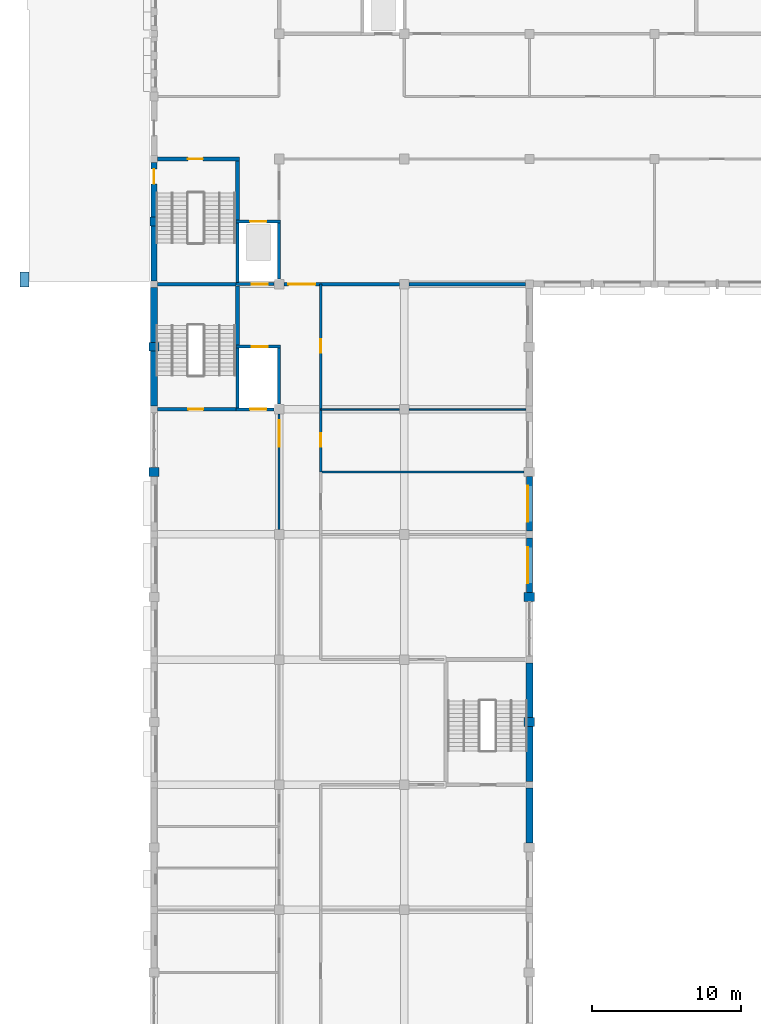
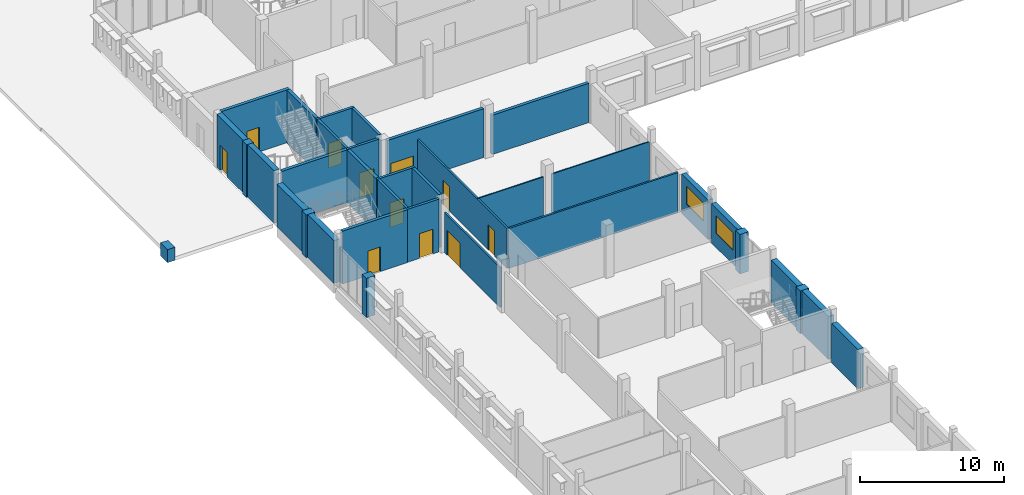
# One storey, part 78 of 101: 35 walls, 11 doors, 2 windows, 13 openings.
"""IFC4 building model written with IfcOpenShell, lengths in metres."""

from ifc_helpers import new_model, si_unit, direction, frame, frame_2d, origin, place, context, subcontext, project, spatial, rectangle, extrude, material, layer, layer_set, type_object, element, fill, save


model = new_model("IFC4")

# Units and contexts
model_context = context("Model", 3, precision=1e-05, world=origin(), true_north=direction((0.0, 1.0)))
body_context = subcontext(model_context, "Body", "Model", "MODEL_VIEW")
ifc_project = project(units=[si_unit("LENGTHUNIT", "METRE"), si_unit("AREAUNIT", "SQUARE_METRE"), si_unit("VOLUMEUNIT", "CUBIC_METRE"), si_unit("PLANEANGLEUNIT", "RADIAN"), si_unit("MASSUNIT", "GRAM", prefix="KILO")], contexts=[model_context])

# Site, building, storey
site_placement = place(None, origin())
site = spatial("IfcSite", under=ifc_project, at=site_placement, CompositionType="ELEMENT")
building_placement = place(site_placement, origin())
building = spatial("IfcBuilding", under=site, at=building_placement, Name="Fescue Hill Polytechnic", CompositionType="ELEMENT")
storey_placement = place(building_placement, frame((0.0, 0.0, 9.0)))
storey = spatial("IfcBuildingStorey", under=building, at=storey_placement, Name="L02", CompositionType="ELEMENT", Elevation=9.0)

# Wall
ifc_material_1 = material(Name="Clay brick masonry", Category="masonry")
ifc_layer_1 = layer(ifc_material_1, 0.550048828125)
ifc_layer_set_1 = layer_set([ifc_layer_1], Name="Clay brick masonry")
wall_type_1 = type_object("IfcWallType", Name="Brick pier 600x550", PredefinedType="SOLIDWALL", material=ifc_layer_set_1)
wall_1_placement = place(storey_placement, frame((0.0, 113.699951171875, 0.0), z_axis=(0.0, 0.0, 1.0), x_axis=(0.0, -1.0, 0.0)))
element("IfcWall", 1, at=wall_1_placement, inside=storey, type_object=wall_type_1, Name="PR-L02-V5-9", PredefinedType="SOLIDWALL", context=body_context, shape_type="SweptSolid", body=[
    extrude(rectangle(XDim=0.599853515625, YDim=0.550048828125, at=frame_2d((0.2998046875, 0.0))), origin(), (0.0, 0.0, 1.0), 4.5),
])

# Wall, opening, door
ifc_material_2 = material(Name="Concrete 40 MPa", Category="concrete")
ifc_layer_2 = layer(ifc_material_2, 0.25)
ifc_layer_set_2 = layer_set([ifc_layer_2], Name="Concrete 40 MPa")
wall_type_2 = type_object("IfcWallType", Name="Core wall 250", PredefinedType="SHEAR", material=ifc_layer_set_2)
wall_2_placement = place(storey_placement, frame((0.25, 100.800048828125, 0.0), z_axis=(0.0, 0.0, 1.0), x_axis=(1.0, 0.0, 0.0)))
wall_2 = element("IfcWall", 2, at=wall_2_placement, inside=storey, type_object=wall_type_2, Name="CW-L02-ST-V4-2-11", PredefinedType="SHEAR", context=body_context, shape_type="SweptSolid", body=[
    extrude(rectangle(XDim=5.25, YDim=0.25, at=frame_2d((2.625, 0.0))), origin(), (0.0, 0.0, 1.0), 4.5),
])
opening_1_placement = place(wall_2_placement, frame((2.050048828125, 0.0, 0.0)))
opening_1 = element("IfcOpeningElement", 3, at=opening_1_placement, cuts=wall_2, Name="Opening D2086", PredefinedType="OPENING", context=body_context, shape_type="SweptSolid", body=[
    extrude(rectangle(XDim=1.0, YDim=2.10009765625, at=frame_2d((0.5, 1.050048828125))), frame((0.0, 0.135009765625, 0.0), z_axis=(0.0, -1.0, 0.0), x_axis=(1.0, 0.0, 0.0)), (0.0, 0.0, 1.0), 0.27001953125),
])
ifc_material_3 = material(Name="Steel fire door", Category="steel")
door_type_1 = type_object("IfcDoorType", Name="Door single swing 1000x2100 stair fire rated", OperationType="NOTDEFINED", PredefinedType="DOOR", material=ifc_material_3)
door_1_placement = place(opening_1_placement, origin())
door_1 = element("IfcDoor", 4, at=door_1_placement, inside=storey, type_object=door_type_1, Name="L02 ST-V4-2 stair door", OperationType="SINGLE_SWING_RIGHT", OverallHeight=2.10009765625, OverallWidth=1.0, PredefinedType="DOOR", context=body_context, shape_type="SweptSolid", body=[
    extrude(rectangle(XDim=1.0, YDim=2.10009765625, at=frame_2d((0.5, 1.050048828125))), frame((0.0, 0.02490234375, 0.0), z_axis=(0.0, -1.0, 0.0), x_axis=(1.0, 0.0, 0.0)), (0.0, 0.0, 1.0), 0.050048828125),
])
fill(opening_1, door_1)

# Walls
wall_3_placement = place(storey_placement, frame((0.25, 109.199951171875, 0.0), z_axis=(0.0, 0.0, 1.0), x_axis=(1.0, 0.0, 0.0)))
element("IfcWall", 5, at=wall_3_placement, inside=storey, type_object=wall_type_2, Name="CW-L02-ST-V4-2-21", PredefinedType="SHEAR", context=body_context, shape_type="SweptSolid", body=[
    extrude(rectangle(XDim=5.25, YDim=0.25, at=frame_2d((2.625, 0.0))), origin(), (0.0, 0.0, 1.0), 4.5),
])
wall_4_placement = place(storey_placement, frame((5.60009765625, 105.010009765625, 0.0), z_axis=(0.0, 0.0, 1.0), x_axis=(0.0, 1.0, 0.0)))
element("IfcWall", 6, at=wall_4_placement, inside=storey, type_object=wall_type_2, Name="CW-L02-ST-V4-2-41", PredefinedType="SHEAR", context=body_context, shape_type="SweptSolid", body=[
    extrude(rectangle(XDim=4.06494140625, YDim=0.25, at=frame_2d((2.032470703125, 0.0))), origin(), (0.0, 0.0, 1.0), 4.5),
])

# Wall, opening, door
wall_5_placement = place(storey_placement, frame((0.22509765625, 117.60009765625, 0.0), z_axis=(0.0, 0.0, 1.0), x_axis=(1.0, 0.0, 0.0)))
wall_5 = element("IfcWall", 7, at=wall_5_placement, inside=storey, type_object=wall_type_2, Name="CW-L02-ST-V5-1-21", PredefinedType="SHEAR", context=body_context, shape_type="SweptSolid", body=[
    extrude(rectangle(XDim=5.5, YDim=0.25, at=frame_2d((2.75, 0.0))), origin(), (0.0, 0.0, 1.0), 4.5),
])
opening_2_placement = place(wall_5_placement, frame((2.050048828125, 0.0, 0.0)))
opening_2 = element("IfcOpeningElement", 8, at=opening_2_placement, cuts=wall_5, Name="Opening D2088", PredefinedType="OPENING", context=body_context, shape_type="SweptSolid", body=[
    extrude(rectangle(XDim=1.0, YDim=2.10009765625, at=frame_2d((0.5, 1.050048828125))), frame((0.0, 0.135009765625, 0.0), z_axis=(0.0, -1.0, 0.0), x_axis=(1.0, 0.0, 0.0)), (0.0, 0.0, 1.0), 0.27001953125),
])
door_2_placement = place(opening_2_placement, origin())
door_2 = element("IfcDoor", 9, at=door_2_placement, inside=storey, type_object=door_type_1, Name="L02 ST-V5-1 stair door", OperationType="SINGLE_SWING_RIGHT", OverallHeight=2.10009765625, OverallWidth=1.0, PredefinedType="DOOR", context=body_context, shape_type="SweptSolid", body=[
    extrude(rectangle(XDim=1.0, YDim=2.10009765625, at=frame_2d((0.5, 1.050048828125))), frame((0.0, 0.02490234375, 0.0), z_axis=(0.0, -1.0, 0.0), x_axis=(1.0, 0.0, 0.0)), (0.0, 0.0, 1.0), 0.050048828125),
])
fill(opening_2, door_2)

# Wall
wall_6_placement = place(storey_placement, frame((5.60009765625, 113.409912109375, 0.0), z_axis=(0.0, 0.0, 1.0), x_axis=(0.0, 1.0, 0.0)))
element("IfcWall", 10, at=wall_6_placement, inside=storey, type_object=wall_type_2, Name="CW-L02-ST-V5-1-41", PredefinedType="SHEAR", context=body_context, shape_type="SweptSolid", body=[
    extrude(rectangle(XDim=4.065185546875, YDim=0.25, at=frame_2d((2.03271484375, 0.0))), origin(), (0.0, 0.0, 1.0), 4.5),
])

# Wall, openings, doors
ifc_material_4 = material(Name="Gypsum board partition")
ifc_layer_3 = layer(ifc_material_4, 0.14990234375)
ifc_layer_set_3 = layer_set([ifc_layer_3], Name="Gypsum board partition")
wall_type_3 = type_object("IfcWallType", Name="Corridor wall 150 EI 45", PredefinedType="PARTITIONING", material=ifc_layer_set_3)
wall_7_placement = place(storey_placement, frame((11.199951171875, 96.60009765625, 0.0), z_axis=(0.0, 0.0, 1.0), x_axis=(0.0, 1.0, 0.0)))
wall_7 = element("IfcWall", 11, at=wall_7_placement, inside=storey, type_object=wall_type_3, Name="IW-L02-084", PredefinedType="PARTITIONING", context=body_context, shape_type="SweptSolid", body=[
    extrude(rectangle(XDim=12.599853515625, YDim=0.14990234375, at=frame_2d((6.2998046875, 0.0))), origin(), (0.0, 0.0, 1.0), 3.39990234375),
])
opening_3_placement = place(wall_7_placement, frame((1.699951171875, 0.0, 0.0)))
opening_3 = element("IfcOpeningElement", 12, at=opening_3_placement, cuts=wall_7, Name="Opening D2047", PredefinedType="OPENING", context=body_context, shape_type="SweptSolid", body=[
    extrude(rectangle(XDim=0.89990234375, YDim=2.10009765625, at=frame_2d((0.449951171875, 1.050048828125))), frame((0.0, 0.0849609375, 0.0), z_axis=(0.0, -1.0, 0.0), x_axis=(1.0, 0.0, 0.0)), (0.0, 0.0, 1.0), 0.169921875),
])
opening_4_placement = place(wall_7_placement, frame((8.0, 0.0, 0.0)))
opening_4 = element("IfcOpeningElement", 13, at=opening_4_placement, cuts=wall_7, Name="Opening D2048", PredefinedType="OPENING", context=body_context, shape_type="SweptSolid", body=[
    extrude(rectangle(XDim=0.89990234375, YDim=2.10009765625, at=frame_2d((0.449951171875, 1.050048828125))), frame((0.0, 0.0849609375, 0.0), z_axis=(0.0, -1.0, 0.0), x_axis=(1.0, 0.0, 0.0)), (0.0, 0.0, 1.0), 0.169921875),
])
ifc_material_5 = material(Name="Timber", Category="wood")
door_type_2 = type_object("IfcDoorType", Name="Door single swing 900x2100 FD30S", OperationType="SINGLE_SWING_LEFT", PredefinedType="DOOR", material=ifc_material_5)
door_3_placement = place(opening_3_placement, origin())
door_3 = element("IfcDoor", 14, at=door_3_placement, inside=storey, type_object=door_type_2, Name="Door D2047", OperationType="SINGLE_SWING_LEFT", OverallHeight=2.10009765625, OverallWidth=0.89990234375, PredefinedType="DOOR", context=body_context, shape_type="SweptSolid", body=[
    extrude(rectangle(XDim=0.89990234375, YDim=2.10009765625, at=frame_2d((0.449951171875, 1.050048828125))), frame((0.0, 0.02490234375, 0.0), z_axis=(0.0, -1.0, 0.0), x_axis=(1.0, 0.0, 0.0)), (0.0, 0.0, 1.0), 0.050048828125),
])
fill(opening_3, door_3)
door_4_placement = place(opening_4_placement, origin())
door_4 = element("IfcDoor", 15, at=door_4_placement, inside=storey, type_object=door_type_2, Name="Door D2048", OperationType="SINGLE_SWING_RIGHT", OverallHeight=2.10009765625, OverallWidth=0.89990234375, PredefinedType="DOOR", context=body_context, shape_type="SweptSolid", body=[
    extrude(rectangle(XDim=0.89990234375, YDim=2.10009765625, at=frame_2d((0.449951171875, 1.050048828125))), frame((0.0, 0.02490234375, 0.0), z_axis=(0.0, -1.0, 0.0), x_axis=(1.0, 0.0, 0.0)), (0.0, 0.0, 1.0), 0.050048828125),
])
fill(opening_4, door_4)

# Walls
ifc_layer_4 = layer(ifc_material_2, 0.449951171875)
ifc_layer_set_4 = layer_set([ifc_layer_4], Name="Concrete 40 MPa")
wall_type_4 = type_object("IfcWallType", Name="Exterior wall board-marked concrete 450", PredefinedType="SOLIDWALL", material=ifc_layer_set_4)
wall_8_placement = place(storey_placement, frame((25.199951171875, 71.699951171875, 0.0), z_axis=(0.0, 0.0, 1.0), x_axis=(0.0, 1.0, 0.0)))
element("IfcWall", 16, at=wall_8_placement, inside=storey, type_object=wall_type_4, Name="EW-L02-V4-6", PredefinedType="SOLIDWALL", context=body_context, shape_type="SweptSolid", body=[
    extrude(rectangle(XDim=3.675048828125, YDim=0.449951171875, at=frame_2d((1.83740234375, 0.0))), origin(), (0.0, 0.0, 1.0), 3.35009765625),
])
ifc_layer_5 = layer(ifc_material_2, 0.449951171875)
ifc_layer_set_5 = layer_set([ifc_layer_5], Name="Concrete 40 MPa")
wall_type_5 = type_object("IfcWallType", Name="Exterior wall board-marked concrete 450 load-bearing", PredefinedType="SOLIDWALL", material=ifc_layer_set_5)
wall_9_placement = place(storey_placement, frame((25.199951171875, 75.824951171875, 0.0), z_axis=(0.0, 0.0, 1.0), x_axis=(0.0, 1.0, 0.0)))
element("IfcWall", 17, at=wall_9_placement, inside=storey, type_object=wall_type_5, Name="EW-L02-V4-7", PredefinedType="SOLIDWALL", context=body_context, shape_type="SweptSolid", body=[
    extrude(rectangle(XDim=3.675048828125, YDim=0.449951171875, at=frame_2d((1.83740234375, 0.0))), origin(), (0.0, 0.0, 1.0), 3.64990234375),
])
wall_10_placement = place(storey_placement, frame((25.199951171875, 80.10009765625, 0.0), z_axis=(0.0, 0.0, 1.0), x_axis=(0.0, 1.0, 0.0)))
element("IfcWall", 18, at=wall_10_placement, inside=storey, type_object=wall_type_5, Name="EW-L02-V4-8", PredefinedType="SOLIDWALL", context=body_context, shape_type="SweptSolid", body=[
    extrude(rectangle(XDim=3.6748046875, YDim=0.449951171875, at=frame_2d((1.83740234375, 0.0))), origin(), (0.0, 0.0, 1.0), 3.64990234375),
])
for number, where, z_axis, x_axis, name in (
    (19, (0.0, 108.97509765625, 0.0), (0.0, 0.0, 1.0), (0.0, -1.0, 0.0), "EW-L02-V4-15"),
    (20, (0.0, 104.699951171875, 0.0), (0.0, 0.0, 1.0), (0.0, -1.0, 0.0), "EW-L02-V4-16"),
):
    element("IfcWall", number, at=place(storey_placement, frame(where, z_axis=z_axis, x_axis=x_axis)), inside=storey, type_object=wall_type_5, Name=name, PredefinedType="SOLIDWALL", context=body_context, shape_type="SweptSolid", body=[
        extrude(rectangle(XDim=3.675048828125, YDim=0.449951171875, at=frame_2d((1.83740234375, 0.0))), origin(), (0.0, 0.0, 1.0), 3.64990234375),
    ])

# Wall, opening, door
ifc_layer_6 = layer(ifc_material_1, 0.419921875)
ifc_layer_set_6 = layer_set([ifc_layer_6], Name="Clay brick masonry")
wall_type_6 = type_object("IfcWallType", Name="Exterior wall buff-red brick cavity 420 load-bearing", PredefinedType="SOLIDWALL", material=ifc_layer_set_6)
wall_11_placement = place(storey_placement, frame((0.0, 117.375, 0.0), z_axis=(0.0, 0.0, 1.0), x_axis=(0.0, -1.0, 0.0)))
wall_11 = element("IfcWall", 21, at=wall_11_placement, inside=storey, type_object=wall_type_6, Name="EW-L02-V5-12", PredefinedType="SOLIDWALL", context=body_context, shape_type="SweptSolid", body=[
    extrude(rectangle(XDim=3.675048828125, YDim=0.419921875, at=frame_2d((1.83740234375, 0.0))), origin(), (0.0, 0.0, 1.0), 4.5),
])
opening_5_placement = place(wall_11_placement, frame((1.449951171875, 0.0, 0.0), z_axis=(0.0, 0.0, 1.0), x_axis=(-1.0, 0.0, 0.0)))
opening_5 = element("IfcOpeningElement", 22, at=opening_5_placement, cuts=wall_11, Name="Opening D2089", PredefinedType="OPENING", context=body_context, shape_type="SweptSolid", body=[
    extrude(rectangle(XDim=1.0, YDim=2.10009765625, at=frame_2d((0.5, 1.050048828125))), frame((0.0, 0.219970703125, 0.0), z_axis=(0.0, -1.0, 0.0), x_axis=(1.0, 0.0, 0.0)), (0.0, 0.0, 1.0), 0.43994140625),
])
ifc_material_6 = material(Name="Hollow metal")
door_type_3 = type_object("IfcDoorType", Name="Door exit single 1000x2100 fire rated", OperationType="SINGLE_SWING_LEFT", PredefinedType="DOOR", material=ifc_material_6)
door_5_placement = place(opening_5_placement, origin())
door_5 = element("IfcDoor", 23, at=door_5_placement, inside=storey, type_object=door_type_3, Name="Door D2089", OperationType="SINGLE_SWING_LEFT", OverallHeight=2.10009765625, OverallWidth=1.0, PredefinedType="DOOR", context=body_context, shape_type="SweptSolid", body=[
    extrude(rectangle(XDim=1.0, YDim=2.10009765625, at=frame_2d((0.5, 1.050048828125))), frame((0.0, 0.02490234375, 0.0), z_axis=(0.0, -1.0, 0.0), x_axis=(1.0, 0.0, 0.0)), (0.0, 0.0, 1.0), 0.050048828125),
])
fill(opening_5, door_5)

# Wall
wall_12_placement = place(storey_placement, frame((0.0, 113.10009765625, 0.0), z_axis=(0.0, 0.0, 1.0), x_axis=(0.0, -1.0, 0.0)))
element("IfcWall", 24, at=wall_12_placement, inside=storey, type_object=wall_type_6, Name="EW-L02-V5-13", PredefinedType="SOLIDWALL", context=body_context, shape_type="SweptSolid", body=[
    extrude(rectangle(XDim=3.675048828125, YDim=0.419921875, at=frame_2d((1.83740234375, 0.0))), origin(), (0.0, 0.0, 1.0), 4.5),
])

# Wall, opening, window
ifc_material_7 = material(Name="Terracotta rainscreen on concrete block", Category="masonry")
ifc_layer_7 = layer(ifc_material_7, 0.3798828125)
ifc_layer_set_7 = layer_set([ifc_layer_7], Name="Terracotta rainscreen on concrete block")
wall_type_7 = type_object("IfcWallType", Name="Exterior wall rainscreen terracotta on blockwork 380", PredefinedType="SOLIDWALL", material=ifc_layer_set_7)
wall_13_placement = place(storey_placement, frame((25.199951171875, 88.5, 0.0), z_axis=(0.0, 0.0, 1.0), x_axis=(0.0, 1.0, 0.0)))
wall_13 = element("IfcWall", 25, at=wall_13_placement, inside=storey, type_object=wall_type_7, Name="EW-L02-V4-10", PredefinedType="SOLIDWALL", context=body_context, shape_type="SweptSolid", body=[
    extrude(rectangle(XDim=3.675048828125, YDim=0.3798828125, at=frame_2d((1.83740234375, 0.0))), origin(), (0.0, 0.0, 1.0), 3.35009765625),
])
opening_6_placement = place(wall_13_placement, frame((0.637451171875, 0.0, 1.199951171875)))
opening_6 = element("IfcOpeningElement", 26, at=opening_6_placement, cuts=wall_13, Name="Opening W3", PredefinedType="OPENING", context=body_context, shape_type="SweptSolid", body=[
    extrude(rectangle(XDim=2.39990234375, YDim=1.5, at=frame_2d((1.199951171875, 0.75))), frame((0.0, 0.199951171875, 0.0), z_axis=(0.0, -1.0, 0.0), x_axis=(1.0, 0.0, 0.0)), (0.0, 0.0, 1.0), 0.39990234375),
])
ifc_material_8 = material(Name="Powder-coated aluminium and glass", Category="aluminium")
window_type = type_object("IfcWindowType", Name="Window laboratory strip 2400x1500", PartitioningType="TRIPLE_PANEL_VERTICAL", PredefinedType="WINDOW", material=ifc_material_8)
window_1_placement = place(opening_6_placement, origin())
window_1 = element("IfcWindow", 27, at=window_1_placement, inside=storey, type_object=window_type, Name="WN-L02-V4-6", OverallHeight=1.5, OverallWidth=2.39990234375, PartitioningType="SINGLE_PANEL", PredefinedType="WINDOW", context=body_context, shape_type="SweptSolid", body=[
    extrude(rectangle(XDim=2.39990234375, YDim=1.5, at=frame_2d((1.199951171875, 0.75))), frame((0.0, 0.150146484375, 0.0), z_axis=(0.0, -1.0, 0.0), x_axis=(1.0, 0.0, 0.0)), (0.0, 0.0, 1.0), 0.06005859375),
])
fill(opening_6, window_1)

wall_14_placement = place(storey_placement, frame((25.199951171875, 92.625, 0.0), z_axis=(0.0, 0.0, 1.0), x_axis=(0.0, 1.0, 0.0)))
wall_14 = element("IfcWall", 28, at=wall_14_placement, inside=storey, type_object=wall_type_7, Name="EW-L02-V4-11", PredefinedType="SOLIDWALL", context=body_context, shape_type="SweptSolid", body=[
    extrude(rectangle(XDim=3.675048828125, YDim=0.3798828125, at=frame_2d((1.83740234375, 0.0))), origin(), (0.0, 0.0, 1.0), 3.35009765625),
])
opening_7_placement = place(wall_14_placement, frame((0.637451171875, 0.0, 1.199951171875)))
opening_7 = element("IfcOpeningElement", 29, at=opening_7_placement, cuts=wall_14, Name="Opening W3", PredefinedType="OPENING", context=body_context, shape_type="SweptSolid", body=[
    extrude(rectangle(XDim=2.39990234375, YDim=1.5, at=frame_2d((1.199951171875, 0.75))), frame((0.0, 0.199951171875, 0.0), z_axis=(0.0, -1.0, 0.0), x_axis=(1.0, 0.0, 0.0)), (0.0, 0.0, 1.0), 0.39990234375),
])
window_2_placement = place(opening_7_placement, origin())
window_2 = element("IfcWindow", 30, at=window_2_placement, inside=storey, type_object=window_type, Name="WN-L02-V4-7", OverallHeight=1.5, OverallWidth=2.39990234375, PartitioningType="SINGLE_PANEL", PredefinedType="WINDOW", context=body_context, shape_type="SweptSolid", body=[
    extrude(rectangle(XDim=2.39990234375, YDim=1.5, at=frame_2d((1.199951171875, 0.75))), frame((0.0, 0.150146484375, 0.0), z_axis=(0.0, -1.0, 0.0), x_axis=(1.0, 0.0, 0.0)), (0.0, 0.0, 1.0), 0.06005859375),
])
fill(opening_7, window_2)

# Walls
ifc_layer_8 = layer(ifc_material_2, 0.699951171875)
ifc_layer_set_8 = layer_set([ifc_layer_8], Name="Concrete 40 MPa")
wall_type_8 = type_object("IfcWallType", Name="Fin wall board-marked 600x700", PredefinedType="SOLIDWALL", material=ifc_layer_set_8)
wall_15_placement = place(storey_placement, frame((25.199951171875, 79.5, 0.0), z_axis=(0.0, 0.0, 1.0), x_axis=(0.0, 1.0, 0.0)))
element("IfcWall", 31, at=wall_15_placement, inside=storey, type_object=wall_type_8, Name="PR-L02-V4-4", PredefinedType="SOLIDWALL", context=body_context, shape_type="SweptSolid", body=[
    extrude(rectangle(XDim=0.60009765625, YDim=0.699951171875, at=frame_2d((0.300048828125, 0.0))), origin(), (0.0, 0.0, 1.0), 3.64990234375),
])
wall_16_placement = place(storey_placement, frame((25.199951171875, 87.89990234375, 0.0), z_axis=(0.0, 0.0, 1.0), x_axis=(0.0, 1.0, 0.0)))
element("IfcWall", 32, at=wall_16_placement, inside=storey, type_object=wall_type_8, Name="PR-L02-V4-5", PredefinedType="SOLIDWALL", context=body_context, shape_type="SweptSolid", body=[
    extrude(rectangle(XDim=0.60009765625, YDim=0.699951171875, at=frame_2d((0.300048828125, 0.0))), origin(), (0.0, 0.0, 1.0), 3.35009765625),
])
wall_17_placement = place(storey_placement, frame((0.0, 105.300048828125, 0.0), z_axis=(0.0, 0.0, 1.0), x_axis=(0.0, -1.0, 0.0)))
element("IfcWall", 33, at=wall_17_placement, inside=storey, type_object=wall_type_8, Name="PR-L02-V4-8", PredefinedType="SOLIDWALL", context=body_context, shape_type="SweptSolid", body=[
    extrude(rectangle(XDim=0.60009765625, YDim=0.699951171875, at=frame_2d((0.300048828125, 0.0))), origin(), (0.0, 0.0, 1.0), 3.64990234375),
])
wall_18_placement = place(storey_placement, frame((0.0, 96.89990234375, 0.0), z_axis=(0.0, 0.0, 1.0), x_axis=(0.0, -1.0, 0.0)))
element("IfcWall", 34, at=wall_18_placement, inside=storey, type_object=wall_type_8, Name="PR-L02-V4-9", PredefinedType="SOLIDWALL", context=body_context, shape_type="SweptSolid", body=[
    extrude(rectangle(XDim=0.599853515625, YDim=0.699951171875, at=frame_2d((0.2998046875, 0.0))), origin(), (0.0, 0.0, 1.0), 3.35009765625),
])
ifc_material_9 = material(Name="Concrete masonry block 15 MPa", Category="masonry")
ifc_layer_9 = layer(ifc_material_9, 0.14990234375)
ifc_layer_set_9 = layer_set([ifc_layer_9], Name="Concrete masonry block 15 MPa")
wall_type_9 = type_object("IfcWallType", Name="Laboratory wall 150 block EI 60", PredefinedType="PARTITIONING", material=ifc_layer_set_9)
wall_19_placement = place(storey_placement, frame((11.199951171875, 96.60009765625, 0.0), z_axis=(0.0, 0.0, 1.0), x_axis=(1.0, 0.0, 0.0)))
element("IfcWall", 35, at=wall_19_placement, inside=storey, type_object=wall_type_9, Name="IW-L02-044", PredefinedType="PARTITIONING", context=body_context, shape_type="SweptSolid", body=[
    extrude(rectangle(XDim=13.650146484375, YDim=0.14990234375, at=frame_2d((6.8251953125, 0.0))), origin(), (0.0, 0.0, 1.0), 3.39990234375),
])

# Wall, opening, door
wall_20_placement = place(storey_placement, frame((8.39990234375, 92.72509765625, 0.0), z_axis=(0.0, 0.0, 1.0), x_axis=(0.0, 1.0, 0.0)))
wall_20 = element("IfcWall", 36, at=wall_20_placement, inside=storey, type_object=wall_type_9, Name="IW-L02-079", PredefinedType="PARTITIONING", context=body_context, shape_type="SweptSolid", body=[
    extrude(rectangle(XDim=7.75, YDim=0.14990234375, at=frame_2d((3.875, 0.0))), origin(), (0.0, 0.0, 1.0), 3.39990234375),
])
opening_8_placement = place(wall_20_placement, frame((5.550048828125, 0.0, 0.0)))
opening_8 = element("IfcOpeningElement", 37, at=opening_8_placement, cuts=wall_20, Name="Opening D2041", PredefinedType="OPENING", context=body_context, shape_type="SweptSolid", body=[
    extrude(rectangle(XDim=1.800048828125, YDim=2.10009765625, at=frame_2d((0.89990234375, 1.050048828125))), frame((0.0, 0.0849609375, 0.0), z_axis=(0.0, -1.0, 0.0), x_axis=(1.0, 0.0, 0.0)), (0.0, 0.0, 1.0), 0.169921875),
])
ifc_material_10 = material(Name="Steel", Category="steel")
door_type_4 = type_object("IfcDoorType", Name="Door double swing 1800x2100 FD60", OperationType="DOUBLE_DOOR_SINGLE_SWING", PredefinedType="DOOR", material=ifc_material_10)
door_6_placement = place(opening_8_placement, origin())
door_6 = element("IfcDoor", 38, at=door_6_placement, inside=storey, type_object=door_type_4, Name="Door D2041", OperationType="DOUBLE_DOOR_SINGLE_SWING", OverallHeight=2.10009765625, OverallWidth=1.800048828125, PredefinedType="DOOR", context=body_context, shape_type="SweptSolid", body=[
    extrude(rectangle(XDim=1.800048828125, YDim=2.10009765625, at=frame_2d((0.89990234375, 1.050048828125))), frame((0.0, 0.02490234375, 0.0), z_axis=(0.0, -1.0, 0.0), x_axis=(1.0, 0.0, 0.0)), (0.0, 0.0, 1.0), 0.050048828125),
])
fill(opening_8, door_6)

ifc_layer_10 = layer(ifc_material_2, 0.199951171875)
ifc_layer_set_10 = layer_set([ifc_layer_10], Name="Concrete 40 MPa")
wall_type_10 = type_object("IfcWallType", Name="Lift shaft wall 200", PredefinedType="SHEAR", material=ifc_layer_set_10)
wall_21_placement = place(storey_placement, frame((5.5, 100.800048828125, 0.0), z_axis=(0.0, 0.0, 1.0), x_axis=(1.0, 0.0, 0.0)))
wall_21 = element("IfcWall", 39, at=wall_21_placement, inside=storey, type_object=wall_type_10, Name="CW-L02-LF-V4-2-11", PredefinedType="SHEAR", context=body_context, shape_type="SweptSolid", body=[
    extrude(rectangle(XDim=2.550048828125, YDim=0.199951171875, at=frame_2d((1.27490234375, 0.0))), origin(), (0.0, 0.0, 1.0), 4.5),
])
opening_9_placement = place(wall_21_placement, frame((0.949951171875, 0.0, 0.0)))
opening_9 = element("IfcOpeningElement", 40, at=opening_9_placement, cuts=wall_21, Name="Opening LD5-L02", PredefinedType="OPENING", context=body_context, shape_type="SweptSolid", body=[
    extrude(rectangle(XDim=1.10009765625, YDim=2.10009765625, at=frame_2d((0.550048828125, 1.050048828125))), frame((0.0, 0.10986328125, 0.0), z_axis=(0.0, -1.0, 0.0), x_axis=(1.0, 0.0, 0.0)), (0.0, 0.0, 1.0), 0.219970703125),
])
ifc_material_11 = material(Name="Stainless steel", Category="steel")
door_type_5 = type_object("IfcDoorType", Name="Lift landing door sliding 1100x2100", OperationType="SLIDING_TO_LEFT", PredefinedType="DOOR", material=ifc_material_11)
door_7_placement = place(opening_9_placement, origin())
door_7 = element("IfcDoor", 41, at=door_7_placement, inside=storey, type_object=door_type_5, Name="L02 LF-V4-2 lift landing door", OperationType="SLIDING_TO_RIGHT", OverallHeight=2.10009765625, OverallWidth=1.10009765625, PredefinedType="DOOR", context=body_context, shape_type="SweptSolid", body=[
    extrude(rectangle(XDim=1.10009765625, YDim=2.10009765625, at=frame_2d((0.550048828125, 1.050048828125))), frame((0.0, 0.02490234375, 0.0), z_axis=(0.0, -1.0, 0.0), x_axis=(1.0, 0.0, 0.0)), (0.0, 0.0, 1.0), 0.050048828125),
])
fill(opening_9, door_7)

wall_22_placement = place(storey_placement, frame((5.5, 105.0, 0.0), z_axis=(0.0, 0.0, 1.0), x_axis=(1.0, 0.0, 0.0)))
wall_22 = element("IfcWall", 42, at=wall_22_placement, inside=storey, type_object=wall_type_10, Name="CW-L02-LF-V4-2-21", PredefinedType="SHEAR", context=body_context, shape_type="SweptSolid", body=[
    extrude(rectangle(XDim=3.0, YDim=0.199951171875, at=frame_2d((1.5, 0.0))), origin(), (0.0, 0.0, 1.0), 4.5),
])
opening_10_placement = place(wall_22_placement, frame((1.050048828125, 0.0, 0.0)))
opening_10 = element("IfcOpeningElement", 43, at=opening_10_placement, cuts=wall_22, Name="Opening LD5-L02N", PredefinedType="OPENING", context=body_context, shape_type="SweptSolid", body=[
    extrude(rectangle(XDim=1.10009765625, YDim=2.10009765625, at=frame_2d((0.550048828125, 1.050048828125))), frame((0.0, 0.10986328125, 0.0), z_axis=(0.0, -1.0, 0.0), x_axis=(1.0, 0.0, 0.0)), (0.0, 0.0, 1.0), 0.219970703125),
])
door_8_placement = place(opening_10_placement, origin())
door_8 = element("IfcDoor", 44, at=door_8_placement, inside=storey, type_object=door_type_5, Name="L02 LF-V4-2 lift landing door", OperationType="SLIDING_TO_LEFT", OverallHeight=2.10009765625, OverallWidth=1.10009765625, PredefinedType="DOOR", context=body_context, shape_type="SweptSolid", body=[
    extrude(rectangle(XDim=1.10009765625, YDim=2.10009765625, at=frame_2d((0.550048828125, 1.050048828125))), frame((0.0, 0.02490234375, 0.0), z_axis=(0.0, -1.0, 0.0), x_axis=(1.0, 0.0, 0.0)), (0.0, 0.0, 1.0), 0.050048828125),
])
fill(opening_10, door_8)

# Walls
wall_23_placement = place(storey_placement, frame((5.60009765625, 100.89990234375, 0.0), z_axis=(0.0, 0.0, 1.0), x_axis=(0.0, 1.0, 0.0)))
element("IfcWall", 45, at=wall_23_placement, inside=storey, type_object=wall_type_10, Name="CW-L02-LF-V4-2-31", PredefinedType="SHEAR", context=body_context, shape_type="SweptSolid", body=[
    extrude(rectangle(XDim=4.0, YDim=0.199951171875, at=frame_2d((2.0, 0.0))), origin(), (0.0, 0.0, 1.0), 4.5),
])
wall_24_placement = place(storey_placement, frame((8.39990234375, 101.14990234375, 0.0), z_axis=(0.0, 0.0, 1.0), x_axis=(0.0, 1.0, 0.0)))
element("IfcWall", 46, at=wall_24_placement, inside=storey, type_object=wall_type_10, Name="CW-L02-LF-V4-2-41", PredefinedType="SHEAR", context=body_context, shape_type="SweptSolid", body=[
    extrude(rectangle(XDim=3.75, YDim=0.199951171875, at=frame_2d((1.875, 0.0))), origin(), (0.0, 0.0, 1.0), 4.5),
])

# Wall, opening, door
wall_25_placement = place(storey_placement, frame((5.5, 109.199951171875, 0.0), z_axis=(0.0, 0.0, 1.0), x_axis=(1.0, 0.0, 0.0)))
wall_25 = element("IfcWall", 47, at=wall_25_placement, inside=storey, type_object=wall_type_10, Name="CW-L02-LF-V5-1-11", PredefinedType="SHEAR", context=body_context, shape_type="SweptSolid", body=[
    extrude(rectangle(XDim=2.550048828125, YDim=0.199951171875, at=frame_2d((1.27490234375, 0.0))), origin(), (0.0, 0.0, 1.0), 4.5),
])
opening_11_placement = place(wall_25_placement, frame((1.050048828125, 0.0, 0.0)))
opening_11 = element("IfcOpeningElement", 48, at=opening_11_placement, cuts=wall_25, Name="Opening LD6-L02", PredefinedType="OPENING", context=body_context, shape_type="SweptSolid", body=[
    extrude(rectangle(XDim=1.10009765625, YDim=2.10009765625, at=frame_2d((0.550048828125, 1.050048828125))), frame((0.0, 0.10986328125, 0.0), z_axis=(0.0, -1.0, 0.0), x_axis=(1.0, 0.0, 0.0)), (0.0, 0.0, 1.0), 0.219970703125),
])
door_9_placement = place(opening_11_placement, origin())
door_9 = element("IfcDoor", 49, at=door_9_placement, inside=storey, type_object=door_type_5, Name="L02 LF-V5-1 lift landing door", OperationType="SLIDING_TO_RIGHT", OverallHeight=2.10009765625, OverallWidth=1.10009765625, PredefinedType="DOOR", context=body_context, shape_type="SweptSolid", body=[
    extrude(rectangle(XDim=1.10009765625, YDim=2.10009765625, at=frame_2d((0.550048828125, 1.050048828125))), frame((0.0, 0.02490234375, 0.0), z_axis=(0.0, -1.0, 0.0), x_axis=(1.0, 0.0, 0.0)), (0.0, 0.0, 1.0), 0.050048828125),
])
fill(opening_11, door_9)

wall_26_placement = place(storey_placement, frame((5.5, 113.39990234375, 0.0), z_axis=(0.0, 0.0, 1.0), x_axis=(1.0, 0.0, 0.0)))
wall_26 = element("IfcWall", 50, at=wall_26_placement, inside=storey, type_object=wall_type_10, Name="CW-L02-LF-V5-1-21", PredefinedType="SHEAR", context=body_context, shape_type="SweptSolid", body=[
    extrude(rectangle(XDim=3.0, YDim=0.199951171875, at=frame_2d((1.5, 0.0))), origin(), (0.0, 0.0, 1.0), 4.5),
])
opening_12_placement = place(wall_26_placement, frame((0.949951171875, 0.0, 0.0)))
opening_12 = element("IfcOpeningElement", 51, at=opening_12_placement, cuts=wall_26, Name="Opening LD6-L02N", PredefinedType="OPENING", context=body_context, shape_type="SweptSolid", body=[
    extrude(rectangle(XDim=1.10009765625, YDim=2.10009765625, at=frame_2d((0.550048828125, 1.050048828125))), frame((0.0, 0.10986328125, 0.0), z_axis=(0.0, -1.0, 0.0), x_axis=(1.0, 0.0, 0.0)), (0.0, 0.0, 1.0), 0.219970703125),
])
door_10_placement = place(opening_12_placement, origin())
door_10 = element("IfcDoor", 52, at=door_10_placement, inside=storey, type_object=door_type_5, Name="L02 LF-V5-1 lift landing door", OperationType="SLIDING_TO_LEFT", OverallHeight=2.10009765625, OverallWidth=1.10009765625, PredefinedType="DOOR", context=body_context, shape_type="SweptSolid", body=[
    extrude(rectangle(XDim=1.10009765625, YDim=2.10009765625, at=frame_2d((0.550048828125, 1.050048828125))), frame((0.0, 0.02490234375, 0.0), z_axis=(0.0, -1.0, 0.0), x_axis=(1.0, 0.0, 0.0)), (0.0, 0.0, 1.0), 0.050048828125),
])
fill(opening_12, door_10)

# Walls
wall_27_placement = place(storey_placement, frame((5.60009765625, 109.300048828125, 0.0), z_axis=(0.0, 0.0, 1.0), x_axis=(0.0, 1.0, 0.0)))
element("IfcWall", 53, at=wall_27_placement, inside=storey, type_object=wall_type_10, Name="CW-L02-LF-V5-1-31", PredefinedType="SHEAR", context=body_context, shape_type="SweptSolid", body=[
    extrude(rectangle(XDim=4.0, YDim=0.199951171875, at=frame_2d((2.0, 0.0))), origin(), (0.0, 0.0, 1.0), 4.5),
])
wall_28_placement = place(storey_placement, frame((8.39990234375, 109.550048828125, 0.0), z_axis=(0.0, 0.0, 1.0), x_axis=(0.0, 1.0, 0.0)))
element("IfcWall", 54, at=wall_28_placement, inside=storey, type_object=wall_type_10, Name="CW-L02-LF-V5-1-41", PredefinedType="SHEAR", context=body_context, shape_type="SweptSolid", body=[
    extrude(rectangle(XDim=3.75, YDim=0.199951171875, at=frame_2d((1.875, 0.0))), origin(), (0.0, 0.0, 1.0), 4.5),
])
ifc_layer_11 = layer(ifc_material_4, 0.10009765625)
ifc_layer_set_11 = layer_set([ifc_layer_11], Name="Gypsum board partition")
wall_type_11 = type_object("IfcWallType", Name="Partition stud 100", PredefinedType="PARTITIONING", material=ifc_layer_set_11)
wall_29_placement = place(storey_placement, frame((11.199951171875, 100.800048828125, 0.0), z_axis=(0.0, 0.0, 1.0), x_axis=(1.0, 0.0, 0.0)))
element("IfcWall", 55, at=wall_29_placement, inside=storey, type_object=wall_type_11, Name="IW-L02-046", PredefinedType="PARTITIONING", context=body_context, shape_type="SweptSolid", body=[
    extrude(rectangle(XDim=5.275146484375, YDim=0.10009765625, at=frame_2d((2.6376953125, 0.0))), origin(), (0.0, 0.0, 1.0), 3.39990234375),
])
wall_30_placement = place(storey_placement, frame((17.125, 100.800048828125, 0.0), z_axis=(0.0, 0.0, 1.0), x_axis=(1.0, 0.0, 0.0)))
element("IfcWall", 56, at=wall_30_placement, inside=storey, type_object=wall_type_11, Name="IW-L02-047", PredefinedType="PARTITIONING", context=body_context, shape_type="SweptSolid", body=[
    extrude(rectangle(XDim=7.85009765625, YDim=0.10009765625, at=frame_2d((3.925048828125, 0.0))), origin(), (0.0, 0.0, 1.0), 3.39990234375),
])

# Wall, opening, door
ifc_material_12 = material(Name="Concrete 35 MPa", Category="concrete")
ifc_layer_12 = layer(ifc_material_12, 0.25)
ifc_layer_set_12 = layer_set([ifc_layer_12], Name="Concrete 35 MPa")
wall_type_12 = type_object("IfcWallType", Name="Party wall 250 concrete EI 120", PredefinedType="SOLIDWALL", material=ifc_layer_set_12)
wall_31_placement = place(storey_placement, frame((8.72509765625, 109.199951171875, 0.0), z_axis=(0.0, 0.0, 1.0), x_axis=(1.0, 0.0, 0.0)))
wall_31 = element("IfcWall", 57, at=wall_31_placement, inside=storey, type_object=wall_type_12, Name="IW-L02-048", PredefinedType="SOLIDWALL", context=body_context, shape_type="SweptSolid", body=[
    extrude(rectangle(XDim=7.75, YDim=0.25, at=frame_2d((3.875, 0.0))), origin(), (0.0, 0.0, 1.0), 4.14990234375),
])
opening_13_placement = place(wall_31_placement, frame((0.300048828125, 0.0, 0.0)))
opening_13 = element("IfcOpeningElement", 58, at=opening_13_placement, cuts=wall_31, Name="Opening D2051", PredefinedType="OPENING", context=body_context, shape_type="SweptSolid", body=[
    extrude(rectangle(XDim=1.800048828125, YDim=2.10009765625, at=frame_2d((0.89990234375, 1.050048828125))), frame((0.0, 0.135009765625, 0.0), z_axis=(0.0, -1.0, 0.0), x_axis=(1.0, 0.0, 0.0)), (0.0, 0.0, 1.0), 0.27001953125),
])
door_type_6 = type_object("IfcDoorType", Name="Door double swing 1800x2100 FD90", OperationType="DOUBLE_DOOR_SINGLE_SWING", PredefinedType="DOOR", material=ifc_material_10)
door_11_placement = place(opening_13_placement, origin())
door_11 = element("IfcDoor", 59, at=door_11_placement, inside=storey, type_object=door_type_6, Name="Door D2051", OperationType="DOUBLE_DOOR_SINGLE_SWING", OverallHeight=2.10009765625, OverallWidth=1.800048828125, PredefinedType="DOOR", context=body_context, shape_type="SweptSolid", body=[
    extrude(rectangle(XDim=1.800048828125, YDim=2.10009765625, at=frame_2d((0.89990234375, 1.050048828125))), frame((0.0, 0.02490234375, 0.0), z_axis=(0.0, -1.0, 0.0), x_axis=(1.0, 0.0, 0.0)), (0.0, 0.0, 1.0), 0.050048828125),
])
fill(opening_13, door_11)

# Walls
wall_32_placement = place(storey_placement, frame((17.125, 109.199951171875, 0.0), z_axis=(0.0, 0.0, 1.0), x_axis=(1.0, 0.0, 0.0)))
element("IfcWall", 60, at=wall_32_placement, inside=storey, type_object=wall_type_12, Name="IW-L02-049", PredefinedType="SOLIDWALL", context=body_context, shape_type="SweptSolid", body=[
    extrude(rectangle(XDim=7.800048828125, YDim=0.25, at=frame_2d((3.89990234375, 0.0))), origin(), (0.0, 0.0, 1.0), 3.35009765625),
])
ifc_layer_13 = layer(ifc_material_12, 0.60009765625)
ifc_layer_set_13 = layer_set([ifc_layer_13], Name="Concrete 35 MPa")
wall_type_13 = type_object("IfcWallType", Name="Retaining wall 600", PredefinedType="SOLIDWALL", material=ifc_layer_set_13)
wall_33_placement = place(storey_placement, frame((-8.693115234375, 109.02490234375, 0.0), z_axis=(0.0, 0.0, 1.0), x_axis=(0.0, 1.0, 0.0)))
element("IfcWall", 61, at=wall_33_placement, inside=storey, type_object=wall_type_13, Name="RT-PW12", PredefinedType="SOLIDWALL", context=body_context, shape_type="SweptSolid", body=[
    extrude(rectangle(XDim=0.97509765625, YDim=0.60009765625, at=frame_2d((0.487548828125, 0.0))), origin(), (0.0, 0.0, 1.0), 1.10009765625),
])

save(model, "model.ifc")
